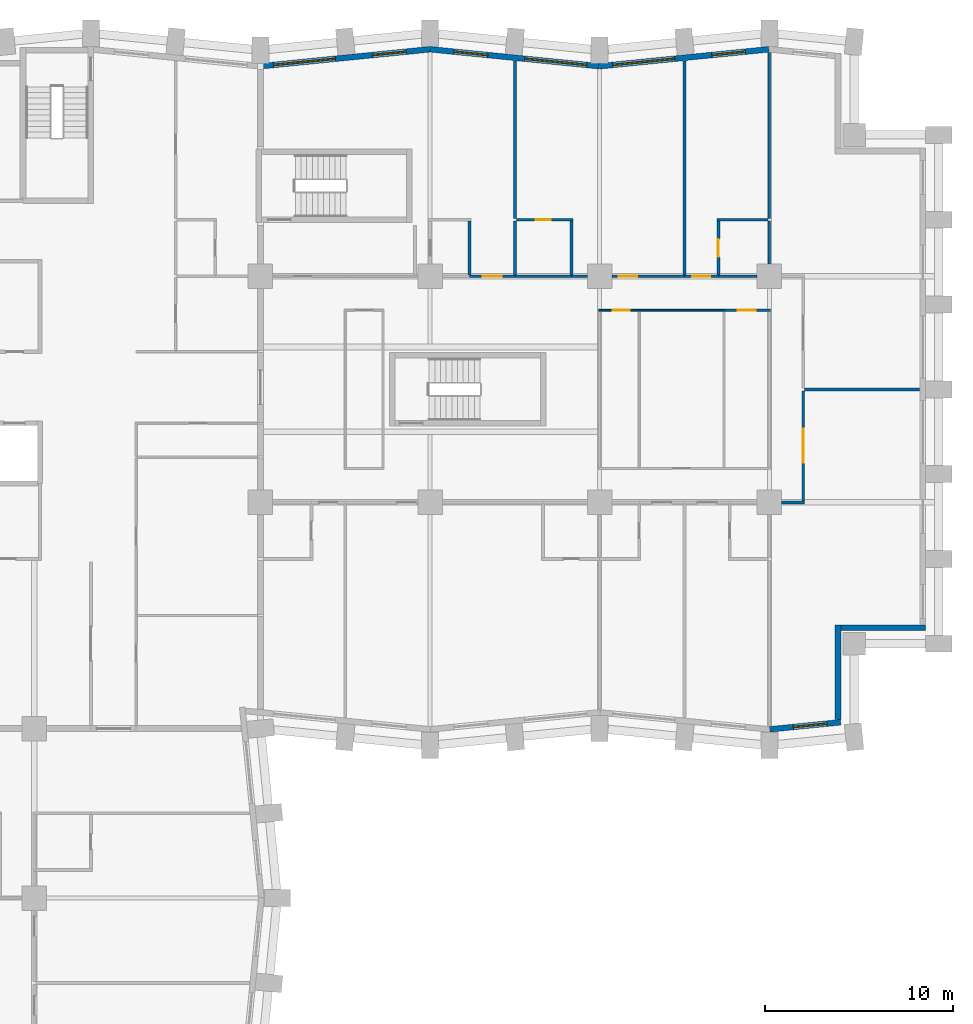
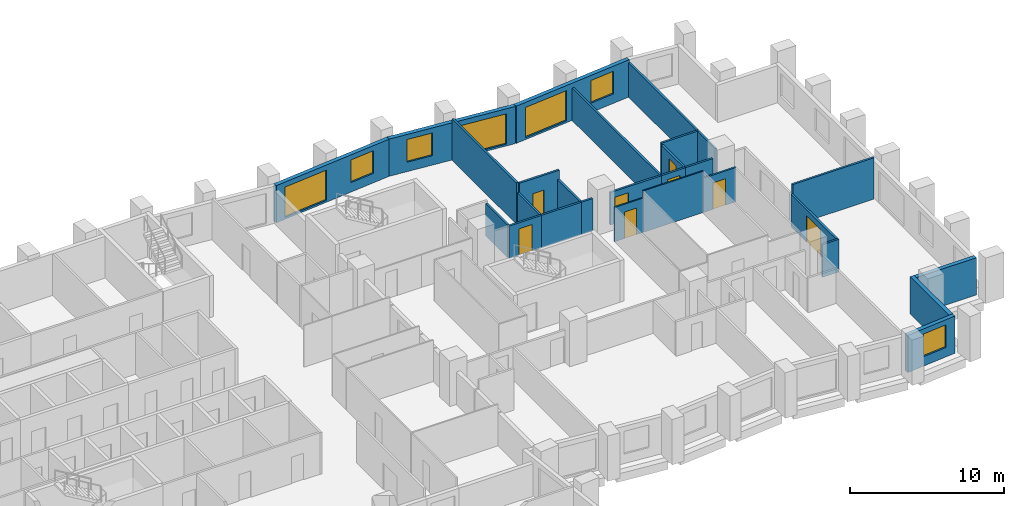
# One storey, part 9 of 12: 28 walls, 8 doors, 7 windows, 15 openings.
"""IFC4 building model written with IfcOpenShell, lengths in metres."""

from ifc_helpers import new_model, si_unit, direction, frame, frame_2d, origin, place, context, subcontext, project, spatial, rectangle, extrude, material, layer, layer_set, type_object, element, fill, save


model = new_model("IFC4")

# Units and contexts
model_context = context("Model", 3, precision=1e-05, world=origin(), true_north=direction((0.0, 1.0)))
body_context = subcontext(model_context, "Body", "Model", "MODEL_VIEW")
ifc_project = project(units=[si_unit("LENGTHUNIT", "METRE"), si_unit("AREAUNIT", "SQUARE_METRE"), si_unit("VOLUMEUNIT", "CUBIC_METRE"), si_unit("PLANEANGLEUNIT", "RADIAN"), si_unit("MASSUNIT", "GRAM", prefix="KILO")], contexts=[model_context])

# Site, building, storey
site_placement = place(None, origin())
site = spatial("IfcSite", under=ifc_project, at=site_placement, CompositionType="ELEMENT")
building_placement = place(site_placement, origin())
building = spatial("IfcBuilding", under=site, at=building_placement, Name="Brondeck Convention Tower", CompositionType="ELEMENT")
storey_placement = place(building_placement, frame((0.0, 0.0, 62.699951171875)))
storey = spatial("IfcBuildingStorey", under=building, at=storey_placement, Name="L13", CompositionType="ELEMENT", Elevation=62.699951171875)

# Wall, opening, window
ifc_material_1 = material(Name="Precast concrete C50/60 bronze finish", Category="concrete")
ifc_layer_1 = layer(ifc_material_1, 0.070068359375, Name="Bronze precast facing")
ifc_material_2 = material(Name="Mineral wool")
ifc_layer_2 = layer(ifc_material_2, 0.159912109375, Name="Insulation")
ifc_material_3 = material(Name="Concrete C35/45", Category="concrete")
ifc_layer_3 = layer(ifc_material_3, 0.070068359375, Name="Backing")
ifc_layer_set_1 = layer_set([ifc_layer_1, ifc_layer_2, ifc_layer_3], Name="External infill wall, precast concrete C50/60 bronze facing")
wall_type_1 = type_object("IfcWallType", Name="External infill wall, precast concrete C50/60 bronze facing", PredefinedType="SOLIDWALL", material=ifc_layer_set_1)
wall_1_placement = place(storey_placement, frame((66.78515625, 27.332763671875, 0.0), z_axis=(0.0, 0.0, 1.0), x_axis=(-0.995038471088, -0.099490909409, 0.0)))
wall_1 = element("IfcWall", 1, at=wall_1_placement, inside=storey, type_object=wall_type_1, Name="ENV-EW-L13-P0-A-S-06", PredefinedType="SOLIDWALL", context=body_context, shape_type="SweptSolid", body=[
    extrude(rectangle(XDim=3.774169921875, YDim=0.300048828125, at=frame_2d((1.88720703125, 0.0))), origin(), (0.0, 0.0, 1.0), 2.949951171875),
])
opening_1_placement = place(wall_1_placement, frame((0.727783203125, 0.0, 0.75)))
opening_1 = element("IfcOpeningElement", 2, at=opening_1_placement, cuts=wall_1, Name="Opening W10", PredefinedType="OPENING", context=body_context, shape_type="SweptSolid", body=[
    extrude(rectangle(XDim=1.800048828125, YDim=1.800048828125, at=frame_2d((0.89990234375, 0.89990234375))), frame((0.0, 0.159912109375, 0.0), z_axis=(0.0, -1.0, 0.0), x_axis=(1.0, 0.0, 0.0)), (0.0, 0.0, 1.0), 0.320068359375),
])
ifc_material_4 = material(Name="Bronze tinted double glazing", Category="glass")
window_type_1 = type_object("IfcWindowType", Name="Punched window, bronze tinted", PartitioningType="SINGLE_PANEL", PredefinedType="WINDOW", material=ifc_material_4)
window_1_placement = place(opening_1_placement, origin())
window_1 = element("IfcWindow", 3, at=window_1_placement, inside=storey, type_object=window_type_1, Name="ENV-WN-L13-P0-A-S-06", OverallHeight=1.800048828125, OverallWidth=1.800048828125, PartitioningType="SINGLE_PANEL", PredefinedType="WINDOW", context=body_context, shape_type="SweptSolid", body=[
    extrude(rectangle(XDim=1.800048828125, YDim=1.800048828125, at=frame_2d((0.89990234375, 0.89990234375))), frame((0.0, 0.030029296875, 0.0), z_axis=(0.0, -1.0, 0.0), x_axis=(1.0, 0.0, 0.0)), (0.0, 0.0, 1.0), 0.06005859375),
])
fill(opening_1, window_1)

# Walls
wall_2_placement = place(storey_placement, frame((66.64990234375, 32.5, 0.0), z_axis=(0.0, 0.0, 1.0), x_axis=(0.0, -1.0, 0.0)))
element("IfcWall", 4, at=wall_2_placement, inside=storey, type_object=wall_type_1, Name="ENV-EW-L13-P0-NC-SEA72-01", PredefinedType="SOLIDWALL", context=body_context, shape_type="SweptSolid", body=[
    extrude(rectangle(XDim=5.02880859375, YDim=0.300048828125, at=frame_2d((2.514404296875, 0.0))), origin(), (0.0, 0.0, 1.0), 2.949951171875),
])
wall_3_placement = place(storey_placement, frame((71.300048828125, 32.35009765625, 0.0), z_axis=(0.0, 0.0, 1.0), x_axis=(-1.0, 0.0, 0.0)))
element("IfcWall", 5, at=wall_3_placement, inside=storey, type_object=wall_type_1, Name="ENV-EW-L13-P0-NC-SEA72-02", PredefinedType="SOLIDWALL", context=body_context, shape_type="SweptSolid", body=[
    extrude(rectangle(XDim=4.5, YDim=0.300048828125, at=frame_2d((2.25, 0.0))), origin(), (0.0, 0.0, 1.0), 2.949951171875),
])

# Wall, openings, windows
wall_4_placement = place(storey_placement, frame((53.985107421875, 62.144287109375, 0.0), z_axis=(0.0, 0.0, 1.0), x_axis=(0.995037993253, 0.099495688264, 0.0)))
wall_4 = element("IfcWall", 6, at=wall_4_placement, inside=storey, type_object=wall_type_1, Name="ENV-EW-L13-P0-A-N-13", PredefinedType="SOLIDWALL", context=body_context, shape_type="SweptSolid", body=[
    extrude(rectangle(XDim=9.030029296875, YDim=0.300048828125, at=frame_2d((4.51513671875, 0.0))), origin(), (0.0, 0.0, 1.0), 2.949951171875),
])
opening_2_placement = place(wall_4_placement, frame((0.711181640625, 0.0, 0.14990234375)))
opening_2 = element("IfcOpeningElement", 7, at=opening_2_placement, cuts=wall_4, Name="Opening W9", PredefinedType="OPENING", context=body_context, shape_type="SweptSolid", body=[
    extrude(rectangle(XDim=3.300048828125, YDim=2.39990234375, at=frame_2d((1.64990234375, 1.199951171875))), frame((0.0, 0.159912109375, 0.0), z_axis=(0.0, -1.0, 0.0), x_axis=(1.0, 0.0, 0.0)), (0.0, 0.0, 1.0), 0.320068359375),
])
opening_3_placement = place(wall_4_placement, frame((5.983642578125, 0.0, 0.75)))
opening_3 = element("IfcOpeningElement", 8, at=opening_3_placement, cuts=wall_4, Name="Opening W10", PredefinedType="OPENING", context=body_context, shape_type="SweptSolid", body=[
    extrude(rectangle(XDim=1.800048828125, YDim=1.800048828125, at=frame_2d((0.89990234375, 0.89990234375))), frame((0.0, 0.159912109375, 0.0), z_axis=(0.0, -1.0, 0.0), x_axis=(1.0, 0.0, 0.0)), (0.0, 0.0, 1.0), 0.320068359375),
])
window_type_2 = type_object("IfcWindowType", Name="Glazed flute window, bronze tinted", PartitioningType="SINGLE_PANEL", PredefinedType="WINDOW", material=ifc_material_4)
window_2_placement = place(opening_2_placement, origin())
window_2 = element("IfcWindow", 9, at=window_2_placement, inside=storey, type_object=window_type_2, Name="ENV-WN-L13-P0-A-N-12", OverallHeight=2.39990234375, OverallWidth=3.300048828125, PartitioningType="SINGLE_PANEL", PredefinedType="WINDOW", context=body_context, shape_type="SweptSolid", body=[
    extrude(rectangle(XDim=3.300048828125, YDim=2.39990234375, at=frame_2d((1.64990234375, 1.199951171875))), frame((0.0, 0.030029296875, 0.0), z_axis=(0.0, -1.0, 0.0), x_axis=(1.0, 0.0, 0.0)), (0.0, 0.0, 1.0), 0.06005859375),
])
fill(opening_2, window_2)
window_3_placement = place(opening_3_placement, origin())
window_3 = element("IfcWindow", 10, at=window_3_placement, inside=storey, type_object=window_type_1, Name="ENV-WN-L13-P0-A-N-13", OverallHeight=1.800048828125, OverallWidth=1.800048828125, PartitioningType="SINGLE_PANEL", PredefinedType="WINDOW", context=body_context, shape_type="SweptSolid", body=[
    extrude(rectangle(XDim=1.800048828125, YDim=1.800048828125, at=frame_2d((0.89990234375, 0.89990234375))), frame((0.0, 0.030029296875, 0.0), z_axis=(0.0, -1.0, 0.0), x_axis=(1.0, 0.0, 0.0)), (0.0, 0.0, 1.0), 0.06005859375),
])
fill(opening_3, window_3)

wall_5_placement = place(storey_placement, frame((44.985107421875, 63.04736328125, 0.0), z_axis=(0.0, 0.0, 1.0), x_axis=(0.995035316196, -0.099522457379, 0.0)))
wall_5 = element("IfcWall", 11, at=wall_5_placement, inside=storey, type_object=wall_type_1, Name="ENV-EW-L13-P0-A-N-11", PredefinedType="SOLIDWALL", context=body_context, shape_type="SweptSolid", body=[
    extrude(rectangle(XDim=9.030029296875, YDim=0.300048828125, at=frame_2d((4.51513671875, 0.0))), origin(), (0.0, 0.0, 1.0), 2.949951171875),
])
opening_4_placement = place(wall_5_placement, frame((1.291259765625, 0.0, 0.75)))
opening_4 = element("IfcOpeningElement", 12, at=opening_4_placement, cuts=wall_5, Name="Opening W10", PredefinedType="OPENING", context=body_context, shape_type="SweptSolid", body=[
    extrude(rectangle(XDim=1.800048828125, YDim=1.800048828125, at=frame_2d((0.89990234375, 0.89990234375))), frame((0.0, 0.159912109375, 0.0), z_axis=(0.0, -1.0, 0.0), x_axis=(1.0, 0.0, 0.0)), (0.0, 0.0, 1.0), 0.320068359375),
])
opening_5_placement = place(wall_5_placement, frame((5.063720703125, 0.0, 0.14990234375)))
opening_5 = element("IfcOpeningElement", 13, at=opening_5_placement, cuts=wall_5, Name="Opening W9", PredefinedType="OPENING", context=body_context, shape_type="SweptSolid", body=[
    extrude(rectangle(XDim=3.300048828125, YDim=2.39990234375, at=frame_2d((1.64990234375, 1.199951171875))), frame((0.0, 0.159912109375, 0.0), z_axis=(0.0, -1.0, 0.0), x_axis=(1.0, 0.0, 0.0)), (0.0, 0.0, 1.0), 0.320068359375),
])
window_4_placement = place(opening_5_placement, origin())
window_4 = element("IfcWindow", 14, at=window_4_placement, inside=storey, type_object=window_type_2, Name="ENV-WN-L13-P0-A-N-11", OverallHeight=2.39990234375, OverallWidth=3.300048828125, PartitioningType="SINGLE_PANEL", PredefinedType="WINDOW", context=body_context, shape_type="SweptSolid", body=[
    extrude(rectangle(XDim=3.300048828125, YDim=2.39990234375, at=frame_2d((1.64990234375, 1.199951171875))), frame((0.0, 0.030029296875, 0.0), z_axis=(0.0, -1.0, 0.0), x_axis=(1.0, 0.0, 0.0)), (0.0, 0.0, 1.0), 0.06005859375),
])
fill(opening_5, window_4)
window_5_placement = place(opening_4_placement, origin())
window_5 = element("IfcWindow", 15, at=window_5_placement, inside=storey, type_object=window_type_1, Name="ENV-WN-L13-P0-A-N-10", OverallHeight=1.800048828125, OverallWidth=1.800048828125, PartitioningType="SINGLE_PANEL", PredefinedType="WINDOW", context=body_context, shape_type="SweptSolid", body=[
    extrude(rectangle(XDim=1.800048828125, YDim=1.800048828125, at=frame_2d((0.89990234375, 0.89990234375))), frame((0.0, 0.030029296875, 0.0), z_axis=(0.0, -1.0, 0.0), x_axis=(1.0, 0.0, 0.0)), (0.0, 0.0, 1.0), 0.06005859375),
])
fill(opening_4, window_5)

wall_6_placement = place(storey_placement, frame((35.985107421875, 62.144287109375, 0.0), z_axis=(0.0, 0.0, 1.0), x_axis=(0.995037993253, 0.099495688264, 0.0)))
wall_6 = element("IfcWall", 16, at=wall_6_placement, inside=storey, type_object=wall_type_1, Name="ENV-EW-L13-P0-A-N-09", PredefinedType="SOLIDWALL", context=body_context, shape_type="SweptSolid", body=[
    extrude(rectangle(XDim=9.030029296875, YDim=0.300048828125, at=frame_2d((4.51513671875, 0.0))), origin(), (0.0, 0.0, 1.0), 2.949951171875),
])
opening_6_placement = place(wall_6_placement, frame((0.711181640625, 0.0, 0.14990234375)))
opening_6 = element("IfcOpeningElement", 17, at=opening_6_placement, cuts=wall_6, Name="Opening W9", PredefinedType="OPENING", context=body_context, shape_type="SweptSolid", body=[
    extrude(rectangle(XDim=3.300048828125, YDim=2.39990234375, at=frame_2d((1.64990234375, 1.199951171875))), frame((0.0, 0.159912109375, 0.0), z_axis=(0.0, -1.0, 0.0), x_axis=(1.0, 0.0, 0.0)), (0.0, 0.0, 1.0), 0.320068359375),
])
opening_7_placement = place(wall_6_placement, frame((5.983642578125, 0.0, 0.75)))
opening_7 = element("IfcOpeningElement", 18, at=opening_7_placement, cuts=wall_6, Name="Opening W10", PredefinedType="OPENING", context=body_context, shape_type="SweptSolid", body=[
    extrude(rectangle(XDim=1.800048828125, YDim=1.800048828125, at=frame_2d((0.89990234375, 0.89990234375))), frame((0.0, 0.159912109375, 0.0), z_axis=(0.0, -1.0, 0.0), x_axis=(1.0, 0.0, 0.0)), (0.0, 0.0, 1.0), 0.320068359375),
])
window_6_placement = place(opening_6_placement, origin())
window_6 = element("IfcWindow", 19, at=window_6_placement, inside=storey, type_object=window_type_2, Name="ENV-WN-L13-P0-A-N-08", OverallHeight=2.39990234375, OverallWidth=3.300048828125, PartitioningType="SINGLE_PANEL", PredefinedType="WINDOW", context=body_context, shape_type="SweptSolid", body=[
    extrude(rectangle(XDim=3.300048828125, YDim=2.39990234375, at=frame_2d((1.64990234375, 1.199951171875))), frame((0.0, 0.030029296875, 0.0), z_axis=(0.0, -1.0, 0.0), x_axis=(1.0, 0.0, 0.0)), (0.0, 0.0, 1.0), 0.06005859375),
])
fill(opening_6, window_6)
window_7_placement = place(opening_7_placement, origin())
window_7 = element("IfcWindow", 20, at=window_7_placement, inside=storey, type_object=window_type_1, Name="ENV-WN-L13-P0-A-N-09", OverallHeight=1.800048828125, OverallWidth=1.800048828125, PartitioningType="SINGLE_PANEL", PredefinedType="WINDOW", context=body_context, shape_type="SweptSolid", body=[
    extrude(rectangle(XDim=1.800048828125, YDim=1.800048828125, at=frame_2d((0.89990234375, 0.89990234375))), frame((0.0, 0.030029296875, 0.0), z_axis=(0.0, -1.0, 0.0), x_axis=(1.0, 0.0, 0.0)), (0.0, 0.0, 1.0), 0.06005859375),
])
fill(opening_7, window_7)

# Wall
ifc_material_5 = material(Name="Double gypsum board acoustic wall")
ifc_layer_4 = layer(ifc_material_5, 0.14990234375)
ifc_layer_set_2 = layer_set([ifc_layer_4], Name="Guest room party wall 150")
wall_type_2 = type_object("IfcWallType", Name="Guest room party wall 150", PredefinedType="PARTITIONING", material=ifc_layer_set_2)
wall_7_placement = place(storey_placement, frame((64.875, 39.0, 0.0), z_axis=(0.0, 0.0, 1.0), x_axis=(-1.0, 0.0, 0.0)))
element("IfcWall", 21, at=wall_7_placement, inside=storey, type_object=wall_type_2, Name="FLR-L13-W072", PredefinedType="PARTITIONING", context=body_context, shape_type="SweptSolid", body=[
    extrude(rectangle(XDim=1.219970703125, YDim=0.14990234375, at=frame_2d((0.60986328125, 0.0))), origin(), (0.0, 0.0, 1.0), 2.580078125),
])

# Wall, opening, door
wall_8_placement = place(storey_placement, frame((64.800048828125, 44.925048828125, 0.0), z_axis=(0.0, 0.0, 1.0), x_axis=(0.0, -1.0, 0.0)))
wall_8 = element("IfcWall", 22, at=wall_8_placement, inside=storey, type_object=wall_type_2, Name="FLR-L13-W084", PredefinedType="PARTITIONING", context=body_context, shape_type="SweptSolid", body=[
    extrude(rectangle(XDim=5.85009765625, YDim=0.14990234375, at=frame_2d((2.925048828125, 0.0))), origin(), (0.0, 0.0, 1.0), 2.580078125),
])
opening_8_placement = place(wall_8_placement, frame((2.02490234375, 0.0, 0.0)))
opening_8 = element("IfcOpeningElement", 23, at=opening_8_placement, cuts=wall_8, Name="Opening H3-021", PredefinedType="OPENING", context=body_context, shape_type="SweptSolid", body=[
    extrude(rectangle(XDim=1.800048828125, YDim=2.10009765625, at=frame_2d((0.89990234375, 1.050048828125))), frame((0.0, 0.0849609375, 0.0), z_axis=(0.0, -1.0, 0.0), x_axis=(1.0, 0.0, 0.0)), (0.0, 0.0, 1.0), 0.169921875),
])
ifc_material_6 = material(Name="Glazed timber double door", Category="wood")
door_type_1 = type_object("IfcDoorType", Name="Double door 1800", OperationType="DOUBLE_DOOR_SINGLE_SWING", PredefinedType="DOOR", material=ifc_material_6)
door_1_placement = place(opening_8_placement, origin())
door_1 = element("IfcDoor", 24, at=door_1_placement, inside=storey, type_object=door_type_1, Name="Door H3-021", OperationType="DOUBLE_DOOR_SINGLE_SWING", OverallHeight=2.10009765625, OverallWidth=1.800048828125, PredefinedType="DOOR", context=body_context, shape_type="SweptSolid", body=[
    extrude(rectangle(XDim=1.800048828125, YDim=2.10009765625, at=frame_2d((0.89990234375, 1.050048828125))), frame((0.0, 0.02490234375, 0.0), z_axis=(0.0, -1.0, 0.0), x_axis=(1.0, 0.0, 0.0)), (0.0, 0.0, 1.0), 0.050048828125),
])
fill(opening_8, door_1)

# Wall
wall_9_placement = place(storey_placement, frame((70.97998046875, 45.0, 0.0), z_axis=(0.0, 0.0, 1.0), x_axis=(-1.0, 0.0, 0.0)))
element("IfcWall", 25, at=wall_9_placement, inside=storey, type_object=wall_type_2, Name="FLR-L13-W085", PredefinedType="PARTITIONING", context=body_context, shape_type="SweptSolid", body=[
    extrude(rectangle(XDim=6.10498046875, YDim=0.14990234375, at=frame_2d((3.052490234375, 0.0))), origin(), (0.0, 0.0, 1.0), 3.280029296875),
])

# Wall, opening, door
wall_10_placement = place(storey_placement, frame((47.10009765625, 51.0, 0.0), z_axis=(0.0, 0.0, 1.0), x_axis=(1.0, 0.0, 0.0)))
wall_10 = element("IfcWall", 26, at=wall_10_placement, inside=storey, type_object=wall_type_2, Name="FLR-L13-W106", PredefinedType="PARTITIONING", context=body_context, shape_type="SweptSolid", body=[
    extrude(rectangle(XDim=2.39990234375, YDim=0.14990234375, at=frame_2d((1.199951171875, 0.0))), origin(), (0.0, 0.0, 1.0), 2.580078125),
])
opening_9_placement = place(wall_10_placement, frame((0.699951171875, 0.0, 0.0)))
opening_9 = element("IfcOpeningElement", 27, at=opening_9_placement, cuts=wall_10, Name="Opening H3-002", PredefinedType="OPENING", context=body_context, shape_type="SweptSolid", body=[
    extrude(rectangle(XDim=1.0, YDim=2.10009765625, at=frame_2d((0.5, 1.050048828125))), frame((0.0, 0.0849609375, 0.0), z_axis=(0.0, -1.0, 0.0), x_axis=(1.0, 0.0, 0.0)), (0.0, 0.0, 1.0), 0.169921875),
])
ifc_material_7 = material(Name="Solid timber fire door leaf", Category="wood")
door_type_2 = type_object("IfcDoorType", Name="Guest room door 1000", OperationType="NOTDEFINED", PredefinedType="DOOR", material=ifc_material_7)
door_2_placement = place(opening_9_placement, origin())
door_2 = element("IfcDoor", 28, at=door_2_placement, inside=storey, type_object=door_type_2, Name="Door H3-002", OperationType="SINGLE_SWING_LEFT", OverallHeight=2.10009765625, OverallWidth=1.0, PredefinedType="DOOR", context=body_context, shape_type="SweptSolid", body=[
    extrude(rectangle(XDim=1.0, YDim=2.10009765625, at=frame_2d((0.5, 1.050048828125))), frame((0.0, 0.02490234375, 0.0), z_axis=(0.0, -1.0, 0.0), x_axis=(1.0, 0.0, 0.0)), (0.0, 0.0, 1.0), 0.050048828125),
])
fill(opening_9, door_2)

# Walls
wall_11_placement = place(storey_placement, frame((49.5, 51.0, 0.0), z_axis=(0.0, 0.0, 1.0), x_axis=(1.0, 0.0, 0.0)))
element("IfcWall", 29, at=wall_11_placement, inside=storey, type_object=wall_type_2, Name="FLR-L13-W107", PredefinedType="PARTITIONING", context=body_context, shape_type="SweptSolid", body=[
    extrude(rectangle(XDim=3.0, YDim=0.14990234375, at=frame_2d((1.5, 0.0))), origin(), (0.0, 0.0, 1.0), 2.580078125),
])
wall_12_placement = place(storey_placement, frame((52.5, 51.0, 0.0), z_axis=(0.0, 0.0, 1.0), x_axis=(1.0, 0.0, 0.0)))
element("IfcWall", 30, at=wall_12_placement, inside=storey, type_object=wall_type_2, Name="FLR-L13-W108", PredefinedType="PARTITIONING", context=body_context, shape_type="SweptSolid", body=[
    extrude(rectangle(XDim=0.844970703125, YDim=0.14990234375, at=frame_2d((0.42236328125, 0.0))), origin(), (0.0, 0.0, 1.0), 2.580078125),
])

# Wall, opening, door
wall_13_placement = place(storey_placement, frame((54.655029296875, 51.0, 0.0), z_axis=(0.0, 0.0, 1.0), x_axis=(1.0, 0.0, 0.0)))
wall_13 = element("IfcWall", 31, at=wall_13_placement, inside=storey, type_object=wall_type_2, Name="FLR-L13-W109", PredefinedType="PARTITIONING", context=body_context, shape_type="SweptSolid", body=[
    extrude(rectangle(XDim=3.844970703125, YDim=0.14990234375, at=frame_2d((1.92236328125, 0.0))), origin(), (0.0, 0.0, 1.0), 2.580078125),
])
opening_10_placement = place(wall_13_placement, frame((0.344970703125, 0.0, 0.0)))
opening_10 = element("IfcOpeningElement", 32, at=opening_10_placement, cuts=wall_13, Name="Opening H3-004", PredefinedType="OPENING", context=body_context, shape_type="SweptSolid", body=[
    extrude(rectangle(XDim=1.0, YDim=2.10009765625, at=frame_2d((0.5, 1.050048828125))), frame((0.0, 0.0849609375, 0.0), z_axis=(0.0, -1.0, 0.0), x_axis=(1.0, 0.0, 0.0)), (0.0, 0.0, 1.0), 0.169921875),
])
door_3_placement = place(opening_10_placement, origin())
door_3 = element("IfcDoor", 33, at=door_3_placement, inside=storey, type_object=door_type_2, Name="Door H3-004", OperationType="SINGLE_SWING_RIGHT", OverallHeight=2.10009765625, OverallWidth=1.0, PredefinedType="DOOR", context=body_context, shape_type="SweptSolid", body=[
    extrude(rectangle(XDim=1.0, YDim=2.10009765625, at=frame_2d((0.5, 1.050048828125))), frame((0.0, 0.02490234375, 0.0), z_axis=(0.0, -1.0, 0.0), x_axis=(1.0, 0.0, 0.0)), (0.0, 0.0, 1.0), 0.050048828125),
])
fill(opening_10, door_3)

wall_14_placement = place(storey_placement, frame((58.5, 51.0, 0.0), z_axis=(0.0, 0.0, 1.0), x_axis=(1.0, 0.0, 0.0)))
wall_14 = element("IfcWall", 34, at=wall_14_placement, inside=storey, type_object=wall_type_2, Name="FLR-L13-W110", PredefinedType="PARTITIONING", context=body_context, shape_type="SweptSolid", body=[
    extrude(rectangle(XDim=1.800048828125, YDim=0.14990234375, at=frame_2d((0.89990234375, 0.0))), origin(), (0.0, 0.0, 1.0), 2.580078125),
])
opening_11_placement = place(wall_14_placement, frame((0.425048828125, 0.0, 0.0)))
opening_11 = element("IfcOpeningElement", 35, at=opening_11_placement, cuts=wall_14, Name="Opening H3-006", PredefinedType="OPENING", context=body_context, shape_type="SweptSolid", body=[
    extrude(rectangle(XDim=0.949951171875, YDim=2.10009765625, at=frame_2d((0.47509765625, 1.050048828125))), frame((0.0, 0.0849609375, 0.0), z_axis=(0.0, -1.0, 0.0), x_axis=(1.0, 0.0, 0.0)), (0.0, 0.0, 1.0), 0.169921875),
])
ifc_material_8 = material(Name="Solid timber door leaf", Category="wood")
door_type_3 = type_object("IfcDoorType", Name="Accessible door 950", OperationType="NOTDEFINED", PredefinedType="DOOR", material=ifc_material_8)
door_4_placement = place(opening_11_placement, origin())
door_4 = element("IfcDoor", 36, at=door_4_placement, inside=storey, type_object=door_type_3, Name="Door H3-006", OperationType="SINGLE_SWING_LEFT", OverallHeight=2.10009765625, OverallWidth=0.949951171875, PredefinedType="DOOR", context=body_context, shape_type="SweptSolid", body=[
    extrude(rectangle(XDim=0.949951171875, YDim=2.10009765625, at=frame_2d((0.47509765625, 1.050048828125))), frame((0.0, 0.02490234375, 0.0), z_axis=(0.0, -1.0, 0.0), x_axis=(1.0, 0.0, 0.0)), (0.0, 0.0, 1.0), 0.050048828125),
])
fill(opening_11, door_4)

# Walls
wall_15_placement = place(storey_placement, frame((60.300048828125, 51.0, 0.0), z_axis=(0.0, 0.0, 1.0), x_axis=(1.0, 0.0, 0.0)))
element("IfcWall", 37, at=wall_15_placement, inside=storey, type_object=wall_type_2, Name="FLR-L13-W111", PredefinedType="PARTITIONING", context=body_context, shape_type="SweptSolid", body=[
    extrude(rectangle(XDim=2.044921875, YDim=0.14990234375, at=frame_2d((1.0224609375, 0.0))), origin(), (0.0, 0.0, 1.0), 2.580078125),
])
for number, where, z_axis, x_axis, name in (
    (38, (47.10009765625, 51.074951171875, 0.0), (0.0, 0.0, 1.0), (0.0, 1.0, 0.0), "FLR-L13-W114"),
    (39, (52.5, 51.074951171875, 0.0), (0.0, 0.0, 1.0), (0.0, 1.0, 0.0), "FLR-L13-W115"),
    (40, (49.5, 53.925048828125, 0.0), (0.0, 0.0, 1.0), (0.0, -1.0, 0.0), "FLR-L13-W120"),
):
    element("IfcWall", number, at=place(storey_placement, frame(where, z_axis=z_axis, x_axis=x_axis)), inside=storey, type_object=wall_type_2, Name=name, PredefinedType="PARTITIONING", context=body_context, shape_type="SweptSolid", body=[
        extrude(rectangle(XDim=2.85009765625, YDim=0.14990234375, at=frame_2d((1.425048828125, 0.0))), origin(), (0.0, 0.0, 1.0), 2.580078125),
    ])

# Wall, opening, door
wall_16_placement = place(storey_placement, frame((60.300048828125, 53.925048828125, 0.0), z_axis=(0.0, 0.0, 1.0), x_axis=(0.0, -1.0, 0.0)))
wall_16 = element("IfcWall", 41, at=wall_16_placement, inside=storey, type_object=wall_type_2, Name="FLR-L13-W121", PredefinedType="PARTITIONING", context=body_context, shape_type="SweptSolid", body=[
    extrude(rectangle(XDim=2.85009765625, YDim=0.14990234375, at=frame_2d((1.425048828125, 0.0))), origin(), (0.0, 0.0, 1.0), 2.580078125),
])
opening_12_placement = place(wall_16_placement, frame((0.949951171875, 0.0, 0.0)))
opening_12 = element("IfcOpeningElement", 42, at=opening_12_placement, cuts=wall_16, Name="Opening H3-007", PredefinedType="OPENING", context=body_context, shape_type="SweptSolid", body=[
    extrude(rectangle(XDim=0.949951171875, YDim=2.10009765625, at=frame_2d((0.47509765625, 1.050048828125))), frame((0.0, 0.0849609375, 0.0), z_axis=(0.0, -1.0, 0.0), x_axis=(1.0, 0.0, 0.0)), (0.0, 0.0, 1.0), 0.169921875),
])
door_5_placement = place(opening_12_placement, origin())
door_5 = element("IfcDoor", 43, at=door_5_placement, inside=storey, type_object=door_type_3, Name="Door H3-007", OperationType="SINGLE_SWING_LEFT", OverallHeight=2.10009765625, OverallWidth=0.949951171875, PredefinedType="DOOR", context=body_context, shape_type="SweptSolid", body=[
    extrude(rectangle(XDim=0.949951171875, YDim=2.10009765625, at=frame_2d((0.47509765625, 1.050048828125))), frame((0.0, 0.02490234375, 0.0), z_axis=(0.0, -1.0, 0.0), x_axis=(1.0, 0.0, 0.0)), (0.0, 0.0, 1.0), 0.050048828125),
])
fill(opening_12, door_5)

# Wall
wall_17_placement = place(storey_placement, frame((63.0, 53.925048828125, 0.0), z_axis=(0.0, 0.0, 1.0), x_axis=(0.0, -1.0, 0.0)))
element("IfcWall", 44, at=wall_17_placement, inside=storey, type_object=wall_type_2, Name="FLR-L13-W122", PredefinedType="PARTITIONING", context=body_context, shape_type="SweptSolid", body=[
    extrude(rectangle(XDim=2.27001953125, YDim=0.14990234375, at=frame_2d((1.135009765625, 0.0))), origin(), (0.0, 0.0, 1.0), 2.72998046875),
])

# Wall, opening, door
wall_18_placement = place(storey_placement, frame((52.574951171875, 54.0, 0.0), z_axis=(0.0, 0.0, 1.0), x_axis=(-1.0, 0.0, 0.0)))
wall_18 = element("IfcWall", 45, at=wall_18_placement, inside=storey, type_object=wall_type_2, Name="FLR-L13-W125", PredefinedType="PARTITIONING", context=body_context, shape_type="SweptSolid", body=[
    extrude(rectangle(XDim=3.0, YDim=0.14990234375, at=frame_2d((1.5, 0.0))), origin(), (0.0, 0.0, 1.0), 3.280029296875),
])
opening_13_placement = place(wall_18_placement, frame((1.175048828125, 0.0, 0.0)))
opening_13 = element("IfcOpeningElement", 46, at=opening_13_placement, cuts=wall_18, Name="Opening H3-005", PredefinedType="OPENING", context=body_context, shape_type="SweptSolid", body=[
    extrude(rectangle(XDim=0.800048828125, YDim=2.10009765625, at=frame_2d((0.39990234375, 1.050048828125))), frame((0.0, 0.0849609375, 0.0), z_axis=(0.0, -1.0, 0.0), x_axis=(1.0, 0.0, 0.0)), (0.0, 0.0, 1.0), 0.169921875),
])
door_type_4 = type_object("IfcDoorType", Name="En-suite door 800", OperationType="NOTDEFINED", PredefinedType="DOOR", material=ifc_material_8)
door_6_placement = place(opening_13_placement, origin())
door_6 = element("IfcDoor", 47, at=door_6_placement, inside=storey, type_object=door_type_4, Name="Door H3-005", OperationType="SINGLE_SWING_RIGHT", OverallHeight=2.10009765625, OverallWidth=0.800048828125, PredefinedType="DOOR", context=body_context, shape_type="SweptSolid", body=[
    extrude(rectangle(XDim=0.800048828125, YDim=2.10009765625, at=frame_2d((0.39990234375, 1.050048828125))), frame((0.0, 0.02490234375, 0.0), z_axis=(0.0, -1.0, 0.0), x_axis=(1.0, 0.0, 0.0)), (0.0, 0.0, 1.0), 0.050048828125),
])
fill(opening_13, door_6)

# Walls
wall_19_placement = place(storey_placement, frame((62.925048828125, 54.0, 0.0), z_axis=(0.0, 0.0, 1.0), x_axis=(-1.0, 0.0, 0.0)))
element("IfcWall", 48, at=wall_19_placement, inside=storey, type_object=wall_type_2, Name="FLR-L13-W126", PredefinedType="PARTITIONING", context=body_context, shape_type="SweptSolid", body=[
    extrude(rectangle(XDim=2.699951171875, YDim=0.14990234375, at=frame_2d((1.35009765625, 0.0))), origin(), (0.0, 0.0, 1.0), 2.72998046875),
])
wall_20_placement = place(storey_placement, frame((49.5, 62.425048828125, 0.0), z_axis=(0.0, 0.0, 1.0), x_axis=(0.0, -1.0, 0.0)))
element("IfcWall", 49, at=wall_20_placement, inside=storey, type_object=wall_type_2, Name="FLR-L13-W129", PredefinedType="PARTITIONING", context=body_context, shape_type="SweptSolid", body=[
    extrude(rectangle(XDim=8.35009765625, YDim=0.14990234375, at=frame_2d((4.175048828125, 0.0))), origin(), (0.0, 0.0, 1.0), 3.280029296875),
])
wall_21_placement = place(storey_placement, frame((58.5, 62.425048828125, 0.0), z_axis=(0.0, 0.0, 1.0), x_axis=(0.0, -1.0, 0.0)))
element("IfcWall", 50, at=wall_21_placement, inside=storey, type_object=wall_type_2, Name="FLR-L13-W130", PredefinedType="PARTITIONING", context=body_context, shape_type="SweptSolid", body=[
    extrude(rectangle(XDim=11.35009765625, YDim=0.14990234375, at=frame_2d((5.675048828125, 0.0))), origin(), (0.0, 0.0, 1.0), 2.580078125),
])
wall_22_placement = place(storey_placement, frame((63.0, 62.875, 0.0), z_axis=(0.0, 0.0, 1.0), x_axis=(0.0, -1.0, 0.0)))
element("IfcWall", 51, at=wall_22_placement, inside=storey, type_object=wall_type_2, Name="FLR-L13-W131", PredefinedType="PARTITIONING", context=body_context, shape_type="SweptSolid", body=[
    extrude(rectangle(XDim=8.800048828125, YDim=0.14990234375, at=frame_2d((4.39990234375, 0.0))), origin(), (0.0, 0.0, 1.0), 2.72998046875),
])

# Wall, opening, door
ifc_material_9 = material(Name="Gypsum board shaft wall on steel studs", Category="steel")
ifc_layer_5 = layer(ifc_material_9, 0.125)
ifc_layer_set_3 = layer_set([ifc_layer_5], Name="Riser wall 125")
wall_type_3 = type_object("IfcWallType", Name="Riser wall 125", PredefinedType="PARTITIONING", material=ifc_layer_set_3)
wall_23_placement = place(storey_placement, frame((63.0625, 49.199951171875, 0.0), z_axis=(0.0, 0.0, 1.0), x_axis=(-1.0, 0.0, 0.0)))
wall_23 = element("IfcWall", 52, at=wall_23_placement, inside=storey, type_object=wall_type_3, Name="FLR-L13-W097", PredefinedType="PARTITIONING", context=body_context, shape_type="SweptSolid", body=[
    extrude(rectangle(XDim=2.46240234375, YDim=0.125, at=frame_2d((1.231201171875, 0.0))), origin(), (0.0, 0.0, 1.0), 2.72998046875),
])
opening_14_placement = place(wall_23_placement, frame((0.78759765625, 0.0, 0.0)))
opening_14 = element("IfcOpeningElement", 53, at=opening_14_placement, cuts=wall_23, Name="Opening H3-019", PredefinedType="OPENING", context=body_context, shape_type="SweptSolid", body=[
    extrude(rectangle(XDim=0.949951171875, YDim=2.10009765625, at=frame_2d((0.47509765625, 1.050048828125))), frame((0.0, 0.072509765625, 0.0), z_axis=(0.0, -1.0, 0.0), x_axis=(1.0, 0.0, 0.0)), (0.0, 0.0, 1.0), 0.14501953125),
])
door_7_placement = place(opening_14_placement, origin())
door_7 = element("IfcDoor", 54, at=door_7_placement, inside=storey, type_object=door_type_3, Name="Door H3-019", OperationType="SINGLE_SWING_RIGHT", OverallHeight=2.10009765625, OverallWidth=0.949951171875, PredefinedType="DOOR", context=body_context, shape_type="SweptSolid", body=[
    extrude(rectangle(XDim=0.949951171875, YDim=2.10009765625, at=frame_2d((0.47509765625, 1.050048828125))), frame((0.0, 0.02490234375, 0.0), z_axis=(0.0, -1.0, 0.0), x_axis=(1.0, 0.0, 0.0)), (0.0, 0.0, 1.0), 0.050048828125),
])
fill(opening_14, door_7)

ifc_material_10 = material(Name="Gypsum board partition on steel studs", Category="steel")
ifc_layer_6 = layer(ifc_material_10, 0.10009765625)
ifc_layer_set_4 = layer_set([ifc_layer_6], Name="Room partition 100")
wall_type_4 = type_object("IfcWallType", Name="Room partition 100", PredefinedType="PARTITIONING", material=ifc_layer_set_4)
wall_24_placement = place(storey_placement, frame((56.10009765625, 49.199951171875, 0.0), z_axis=(0.0, 0.0, 1.0), x_axis=(-1.0, 0.0, 0.0)))
wall_24 = element("IfcWall", 55, at=wall_24_placement, inside=storey, type_object=wall_type_4, Name="FLR-L13-W095", PredefinedType="PARTITIONING", context=body_context, shape_type="SweptSolid", body=[
    extrude(rectangle(XDim=2.150146484375, YDim=0.10009765625, at=frame_2d((1.0751953125, 0.0))), origin(), (0.0, 0.0, 1.0), 2.72998046875),
])
opening_15_placement = place(wall_24_placement, frame((0.5, 0.0, 0.0)))
opening_15 = element("IfcOpeningElement", 56, at=opening_15_placement, cuts=wall_24, Name="Opening H3-017", PredefinedType="OPENING", context=body_context, shape_type="SweptSolid", body=[
    extrude(rectangle(XDim=0.89990234375, YDim=2.10009765625, at=frame_2d((0.449951171875, 1.050048828125))), frame((0.0, 0.06005859375, 0.0), z_axis=(0.0, -1.0, 0.0), x_axis=(1.0, 0.0, 0.0)), (0.0, 0.0, 1.0), 0.1201171875),
])
door_type_5 = type_object("IfcDoorType", Name="Single door 900", OperationType="NOTDEFINED", PredefinedType="DOOR", material=ifc_material_8)
door_8_placement = place(opening_15_placement, origin())
door_8 = element("IfcDoor", 57, at=door_8_placement, inside=storey, type_object=door_type_5, Name="Door H3-017", OperationType="SINGLE_SWING_LEFT", OverallHeight=2.10009765625, OverallWidth=0.89990234375, PredefinedType="DOOR", context=body_context, shape_type="SweptSolid", body=[
    extrude(rectangle(XDim=0.89990234375, YDim=2.10009765625, at=frame_2d((0.449951171875, 1.050048828125))), frame((0.0, 0.02490234375, 0.0), z_axis=(0.0, -1.0, 0.0), x_axis=(1.0, 0.0, 0.0)), (0.0, 0.0, 1.0), 0.050048828125),
])
fill(opening_15, door_8)

# Wall
wall_25_placement = place(storey_placement, frame((60.60009765625, 49.199951171875, 0.0), z_axis=(0.0, 0.0, 1.0), x_axis=(-1.0, 0.0, 0.0)))
element("IfcWall", 58, at=wall_25_placement, inside=storey, type_object=wall_type_4, Name="FLR-L13-W096", PredefinedType="PARTITIONING", context=body_context, shape_type="SweptSolid", body=[
    extrude(rectangle(XDim=4.5, YDim=0.10009765625, at=frame_2d((2.25, 0.0))), origin(), (0.0, 0.0, 1.0), 3.280029296875),
])

save(model, "model.ifc")
